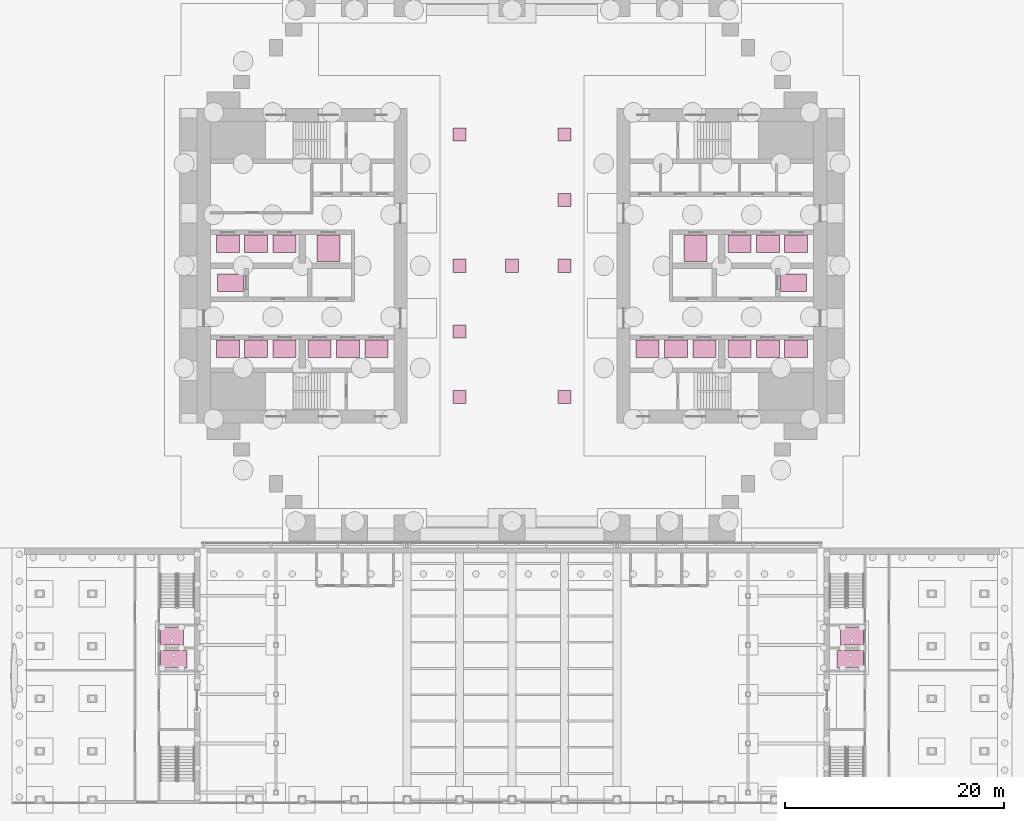
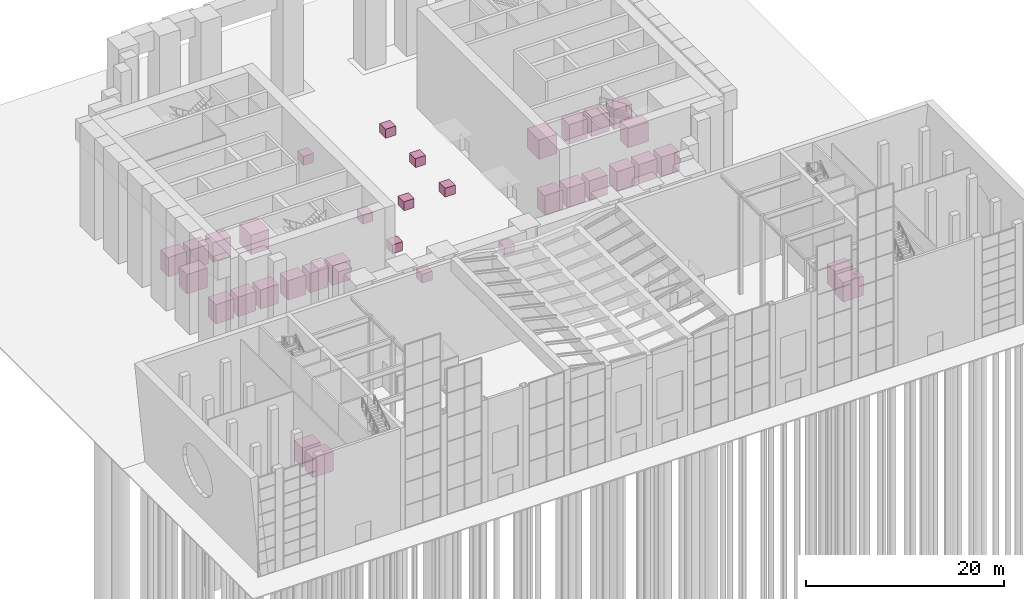
# One storey, part 58 of 58: 26 transport elements, 9 furniture elements.
"""IFC4 building model written with IfcOpenShell, lengths in metres."""

from ifc_helpers import new_model, si_unit, direction, frame, origin, origin_2d, place, context, subcontext, project, spatial, rectangle, extrude, material, type_object, element, save


model = new_model("IFC4")

# Units and contexts
model_context = context("Model", 3, precision=1e-05, world=origin(), true_north=direction((0.0, 1.0)))
body_context = subcontext(model_context, "Body", "Model", "MODEL_VIEW")
ifc_project = project(units=[si_unit("LENGTHUNIT", "METRE"), si_unit("AREAUNIT", "SQUARE_METRE"), si_unit("VOLUMEUNIT", "CUBIC_METRE"), si_unit("PLANEANGLEUNIT", "RADIAN"), si_unit("MASSUNIT", "GRAM", prefix="KILO")], contexts=[model_context])

# Site, building, storey
site_placement = place(None, origin())
site = spatial("IfcSite", under=ifc_project, at=site_placement, CompositionType="ELEMENT")
building_placement = place(site_placement, origin())
building = spatial("IfcBuilding", under=site, at=building_placement, Name="Baori Bourse Tower", CompositionType="ELEMENT")
storey_placement = place(building_placement, origin())
storey = spatial("IfcBuildingStorey", under=building, at=storey_placement, Name="L00", CompositionType="ELEMENT", Elevation=0.0)

# Transport elements
ifc_material_1 = material(Name="Stainless steel car", Category="steel")
transport_element_type_1 = type_object("IfcTransportElementType", Name="Fire service access elevator 2500 kg", PredefinedType="ELEVATOR", material=ifc_material_1)
for number, where, z_axis, x_axis, name in (
    (1, (3.050048828125, 22.449951171875, 0.0), (0.0, 0.0, 1.0), (1.0, 0.0, 0.0), "FF1 W"),
    (2, (54.550048828125, 22.449951171875, 0.0), (0.0, 0.0, 1.0), (1.0, 0.0, 0.0), "FF2 E"),
):
    element("IfcTransportElement", number, at=place(storey_placement, frame(where, z_axis=z_axis, x_axis=x_axis)), inside=storey, type_object=transport_element_type_1, Name=name, PredefinedType="ELEVATOR", context=body_context, shape_type="SweptSolid", body=[
        extrude(rectangle(XDim=2.39990234375, YDim=1.60009765625, at=origin_2d()), origin(), (0.0, 0.0, 1.0), 2.39990234375),
    ])

# Furniture
ifc_material_2 = material(Name="Concrete f'c 40 MPa", Category="concrete")
furniture_type = type_object("IfcFurnitureType", Name="PN1 Planter", AssemblyPlace="NOTDEFINED", PredefinedType="NOTDEFINED", material=ifc_material_2)
for number, where, z_axis, x_axis, name in (
    (3, (24.0, 12.0, 0.0), (0.0, 0.0, 1.0), (1.0, 0.0, 0.0), "Planter plaza L00 1"),
    (4, (33.60009765625, 12.0, 0.0), (0.0, 0.0, 1.0), (1.0, 0.0, 0.0), "Planter plaza L00 2"),
    (5, (24.0, 36.0, 0.0), (0.0, 0.0, 1.0), (1.0, 0.0, 0.0), "Planter plaza L00 3"),
    (6, (33.60009765625, 36.0, 0.0), (0.0, 0.0, 1.0), (1.0, 0.0, 0.0), "Planter plaza L00 4"),
    (7, (28.800048828125, 24.0, 0.0), (0.0, 0.0, 1.0), (1.0, 0.0, 0.0), "Planter plaza L00 5"),
    (8, (24.0, 24.0, 0.0), (0.0, 0.0, 1.0), (1.0, 0.0, 0.0), "Planter plaza L00 6"),
    (9, (33.60009765625, 24.0, 0.0), (0.0, 0.0, 1.0), (1.0, 0.0, 0.0), "Planter plaza L00 7"),
    (10, (24.0, 18.0, 0.0), (0.0, 0.0, 1.0), (1.0, 0.0, 0.0), "Planter plaza L00 8"),
    (11, (33.60009765625, 30.0, 0.0), (0.0, 0.0, 1.0), (1.0, 0.0, 0.0), "Planter plaza L00 9"),
):
    element("IfcFurniture", number, at=place(storey_placement, frame(where, z_axis=z_axis, x_axis=x_axis)), inside=storey, type_object=furniture_type, Name=name, PredefinedType="NOTDEFINED", context=body_context, shape_type="SweptSolid", body=[
        extrude(rectangle(XDim=1.199951171875, YDim=1.199951171875, at=origin_2d()), origin(), (0.0, 0.0, 1.0), 1.10009765625),
    ])

# Transport elements
ifc_material_3 = material(Name="Stainless steel car", Category="steel")
transport_element_type_2 = type_object("IfcTransportElementType", Name="Passenger lift 1600 kg", PredefinedType="ELEVATOR", material=ifc_material_3)
for number, where, z_axis, x_axis, name in (
    (12, (2.800048828125, 16.39990234375, 0.0), (0.0, 0.0, 1.0), (1.0, 0.0, 0.0), "LR1 W"),
    (13, (5.39990234375, 16.39990234375, 0.0), (0.0, 0.0, 1.0), (1.0, 0.0, 0.0), "LR2 W"),
    (14, (8.0, 16.39990234375, 0.0), (0.0, 0.0, 1.0), (1.0, 0.0, 0.0), "LR3 W"),
    (15, (11.199951171875, 16.39990234375, 0.0), (0.0, 0.0, 1.0), (1.0, 0.0, 0.0), "LR4 W"),
    (16, (13.800048828125, 16.39990234375, 0.0), (0.0, 0.0, 1.0), (1.0, 0.0, 0.0), "LR5 W"),
    (17, (16.39990234375, 16.39990234375, 0.0), (0.0, 0.0, 1.0), (1.0, 0.0, 0.0), "LR6 W"),
    (18, (2.800048828125, 26.0, 0.0), (0.0, 0.0, 1.0), (1.0, 0.0, 0.0), "SH1 W"),
    (19, (5.39990234375, 26.0, 0.0), (0.0, 0.0, 1.0), (1.0, 0.0, 0.0), "SH2 W"),
    (20, (8.0, 26.0, 0.0), (0.0, 0.0, 1.0), (1.0, 0.0, 0.0), "SH3 W"),
    (21, (54.800048828125, 16.39990234375, 0.0), (0.0, 0.0, 1.0), (1.0, 0.0, 0.0), "LR1 E"),
    (22, (52.199951171875, 16.39990234375, 0.0), (0.0, 0.0, 1.0), (1.0, 0.0, 0.0), "LR2 E"),
    (23, (49.60009765625, 16.39990234375, 0.0), (0.0, 0.0, 1.0), (1.0, 0.0, 0.0), "LR3 E"),
    (24, (46.39990234375, 16.39990234375, 0.0), (0.0, 0.0, 1.0), (1.0, 0.0, 0.0), "LR4 E"),
    (25, (43.800048828125, 16.39990234375, 0.0), (0.0, 0.0, 1.0), (1.0, 0.0, 0.0), "LR5 E"),
    (26, (41.199951171875, 16.39990234375, 0.0), (0.0, 0.0, 1.0), (1.0, 0.0, 0.0), "LR6 E"),
    (27, (54.800048828125, 26.0, 0.0), (0.0, 0.0, 1.0), (1.0, 0.0, 0.0), "SH1 E"),
    (28, (52.199951171875, 26.0, 0.0), (0.0, 0.0, 1.0), (1.0, 0.0, 0.0), "SH2 E"),
    (29, (49.60009765625, 26.0, 0.0), (0.0, 0.0, 1.0), (1.0, 0.0, 0.0), "SH3 E"),
):
    element("IfcTransportElement", number, at=place(storey_placement, frame(where, z_axis=z_axis, x_axis=x_axis)), inside=storey, type_object=transport_element_type_2, Name=name, PredefinedType="ELEVATOR", context=body_context, shape_type="SweptSolid", body=[
        extrude(rectangle(XDim=2.10009765625, YDim=1.60009765625, at=origin_2d()), origin(), (0.0, 0.0, 1.0), 2.39990234375),
    ])
ifc_material_4 = material(Name="Passenger lift car 1600x2100")
transport_element_type_3 = type_object("IfcTransportElementType", Name="Passenger lift car 1600x2100", PredefinedType="ELEVATOR", material=ifc_material_4)
for number, where, z_axis, x_axis, name in (
    (30, (-2.300048828125, -9.909912109375, 0.050048828125), (0.0, 0.0, 1.0), (1.0, 0.0, 0.0), "WL1 W"),
    (31, (59.89990234375, -9.909912109375, 0.050048828125), (0.0, 0.0, 1.0), (1.0, 0.0, 0.0), "WL1 E"),
):
    element("IfcTransportElement", number, at=place(storey_placement, frame(where, z_axis=z_axis, x_axis=x_axis)), inside=storey, type_object=transport_element_type_3, Name=name, PredefinedType="ELEVATOR", context=body_context, shape_type="SweptSolid", body=[
        extrude(rectangle(XDim=2.10009765625, YDim=1.60009765625, at=origin_2d()), origin(), (0.0, 0.0, 1.0), 2.39990234375),
    ])
ifc_material_5 = material(Name="Stainless steel car", Category="steel")
transport_element_type_4 = type_object("IfcTransportElementType", Name="Service lift 3000 kg", PredefinedType="ELEVATOR", material=ifc_material_5)
for number, where, z_axis, x_axis, name in (
    (32, (12.0, 25.60009765625, 0.0), (0.0, 0.0, 1.0), (1.0, 0.0, 0.0), "SV1 W"),
    (33, (45.60009765625, 25.60009765625, 0.0), (0.0, 0.0, 1.0), (1.0, 0.0, 0.0), "SV1 E"),
):
    element("IfcTransportElement", number, at=place(storey_placement, frame(where, z_axis=z_axis, x_axis=x_axis)), inside=storey, type_object=transport_element_type_4, Name=name, PredefinedType="ELEVATOR", context=body_context, shape_type="SweptSolid", body=[
        extrude(rectangle(XDim=2.10009765625, YDim=2.39990234375, at=origin_2d()), origin(), (0.0, 0.0, 1.0), 2.39990234375),
    ])
ifc_material_6 = material(Name="Stretcher lift car 1600x2400")
transport_element_type_5 = type_object("IfcTransportElementType", Name="Stretcher lift car 1600x2400", PredefinedType="ELEVATOR", material=ifc_material_6)
for number, where, z_axis, x_axis, name in (
    (34, (-2.14990234375, -12.010009765625, 0.050048828125), (0.0, 0.0, 1.0), (1.0, 0.0, 0.0), "WL2 W"),
    (35, (59.75, -12.010009765625, 0.050048828125), (0.0, 0.0, 1.0), (1.0, 0.0, 0.0), "WL2 E"),
):
    element("IfcTransportElement", number, at=place(storey_placement, frame(where, z_axis=z_axis, x_axis=x_axis)), inside=storey, type_object=transport_element_type_5, Name=name, PredefinedType="ELEVATOR", context=body_context, shape_type="SweptSolid", body=[
        extrude(rectangle(XDim=2.39990234375, YDim=1.60009765625, at=origin_2d()), origin(), (0.0, 0.0, 1.0), 2.39990234375),
    ])

save(model, "model.ifc")
